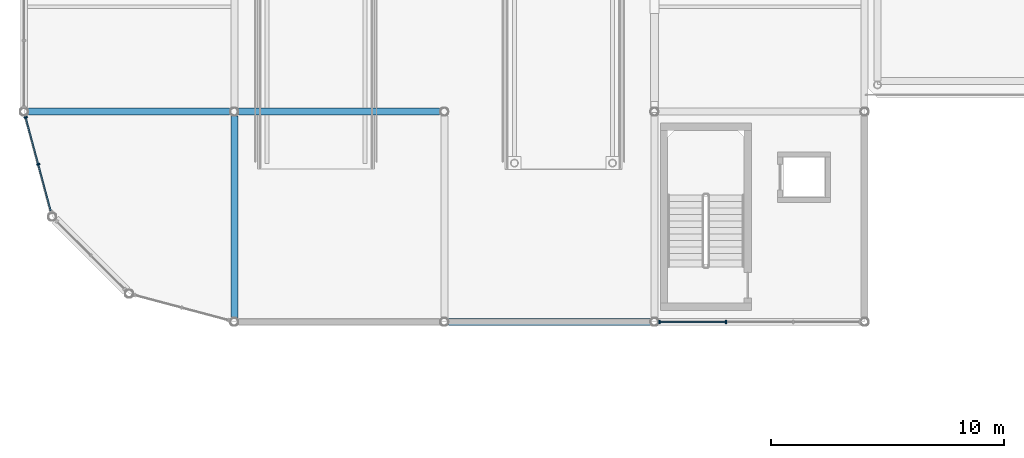
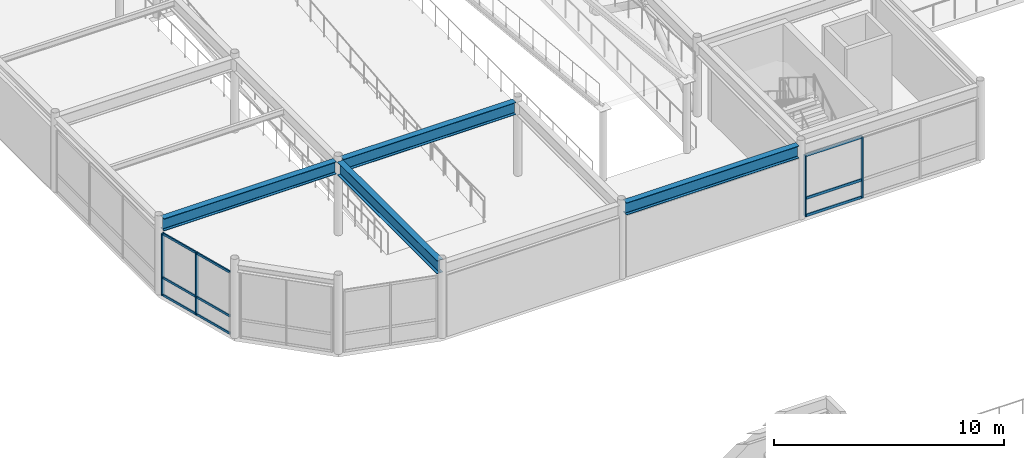
# One storey, part 16 of 70: 13 members, 4 beams, 2 elements without a shape of their own.
"""IFC4 building model written with IfcOpenShell, lengths in metres."""

from ifc_helpers import new_model, si_unit, direction, frame, origin, origin_2d, place, context, subcontext, project, spatial, rectangle, i_section, extrude, material, material_profile, profile_set, type_object, element, aggregate, save


model = new_model("IFC4")

# Units and contexts
model_context = context("Model", 3, precision=1e-05, world=origin(), true_north=direction((0.0, 1.0)))
body_context = subcontext(model_context, "Body", "Model", "MODEL_VIEW")
ifc_project = project(units=[si_unit("LENGTHUNIT", "METRE"), si_unit("AREAUNIT", "SQUARE_METRE"), si_unit("VOLUMEUNIT", "CUBIC_METRE"), si_unit("PLANEANGLEUNIT", "RADIAN"), si_unit("MASSUNIT", "GRAM", prefix="KILO")], contexts=[model_context])

# Site, building, storey
site_placement = place(None, origin())
site = spatial("IfcSite", under=ifc_project, at=site_placement, CompositionType="ELEMENT")
building_placement = place(site_placement, origin())
building = spatial("IfcBuilding", under=site, at=building_placement, Name="Suzunagisa Mobility Hub", CompositionType="ELEMENT")
storey_placement = place(building_placement, frame((0.0, 0.0, 13.5)))
storey = spatial("IfcBuildingStorey", under=building, at=storey_placement, Name="L03", CompositionType="ELEMENT", Elevation=13.5)

# Curtain wall, members
ifc_material_1 = material(Name="Thermally Broken Anodized Aluminum and Low-E Glazing", Category="aluminium")
curtain_wall_type_1 = type_object("IfcCurtainWallType", Name="Unitised Curtain Wall CW-13 8750x3200", PredefinedType="USERDEFINED", material=ifc_material_1)
curtain_wall_1_placement = place(storey_placement, origin())
curtain_wall_1 = element("IfcCurtainWall", 1, at=curtain_wall_1_placement, inside=storey, type_object=curtain_wall_type_1, Name="L03 Unitised Curtain Wall CW-74", ObjectType="UNITISED CURTAIN WALL", PredefinedType="USERDEFINED")
ifc_material_2 = material(Name="Anodized Aluminum 6063-T6", Category="aluminium")
ifc_material_profile_1 = material_profile(ifc_material_2, rectangle(XDim=0.06494140625, YDim=0.139892578125, at=origin_2d()), Name="TRAN-65x140")
ifc_profile_set_1 = profile_set([ifc_material_profile_1], Name="Anodized Aluminum 6063-T6")
member_type_1 = type_object("IfcMemberType", Name="Curtain Wall Framing CM-01 TRAN-65x140", PredefinedType="USERDEFINED", material=ifc_profile_set_1)
member_1_placement = place(storey_placement, frame((27.23583984375, 80.0, 0.032470703125), z_axis=(1.0, 0.0, 0.0), x_axis=(0.0, 1.0, 0.0)))
member_1 = element("IfcMember", 2, at=member_1_placement, type_object=member_type_1, Name="Curtain Wall Transom 74-T1.1", ObjectType="TRANSOM", PredefinedType="USERDEFINED", context=body_context, shape_type="SweptSolid", body=[
    extrude(rectangle(XDim=0.06494140625, YDim=0.139892578125, at=origin_2d()), origin(), (0.0, 0.0, 1.0), 2.79541015625),
])
member_2_placement = place(storey_placement, frame((27.23583984375, 80.0, 0.949951171875), z_axis=(1.0, 0.0, 0.0), x_axis=(0.0, 1.0, 0.0)))
member_2 = element("IfcMember", 3, at=member_2_placement, type_object=member_type_1, Name="Curtain Wall Transom 74-T1.2", ObjectType="TRANSOM", PredefinedType="USERDEFINED", context=body_context, shape_type="SweptSolid", body=[
    extrude(rectangle(XDim=0.06494140625, YDim=0.139892578125, at=origin_2d()), origin(), (0.0, 0.0, 1.0), 2.79541015625),
])
member_3_placement = place(storey_placement, frame((27.23583984375, 80.0, 3.217529296875), z_axis=(1.0, 0.0, 0.0), x_axis=(0.0, 1.0, 0.0)))
member_3 = element("IfcMember", 4, at=member_3_placement, type_object=member_type_1, Name="Curtain Wall Transom 74-T1.3", ObjectType="TRANSOM", PredefinedType="USERDEFINED", context=body_context, shape_type="SweptSolid", body=[
    extrude(rectangle(XDim=0.06494140625, YDim=0.139892578125, at=origin_2d()), origin(), (0.0, 0.0, 1.0), 2.79541015625),
])

curtain_wall_type_2 = type_object("IfcCurtainWallType", Name="Unitised Curtain Wall CW-06 4250x3300", PredefinedType="USERDEFINED", material=ifc_material_1)
curtain_wall_2_placement = place(storey_placement, origin())
curtain_wall_2 = element("IfcCurtainWall", 5, at=curtain_wall_2_placement, inside=storey, type_object=curtain_wall_type_2, Name="L03 Unitised Curtain Wall CW-71", ObjectType="UNITISED CURTAIN WALL", PredefinedType="USERDEFINED")
ifc_material_profile_2 = material_profile(ifc_material_2, rectangle(XDim=0.06005859375, YDim=0.1201171875, at=origin_2d()), Name="TRAN-60x120")
ifc_profile_set_2 = profile_set([ifc_material_profile_2], Name="Anodized Aluminum 6063-T6")
member_type_2 = type_object("IfcMemberType", Name="Curtain Wall Framing CM-02 TRAN-60x120", PredefinedType="USERDEFINED", material=ifc_profile_set_2)
member_4_placement = place(storey_placement, frame((0.0712890625, 88.733642578125, 0.030029296875), z_axis=(0.258892720742, -0.965906081949, 0.0), x_axis=(0.965906081949, 0.258892720742, 0.0)))
member_4 = element("IfcMember", 6, at=member_4_placement, type_object=member_type_2, Name="Curtain Wall Transom 71-T1.1", ObjectType="TRANSOM", PredefinedType="USERDEFINED", context=body_context, shape_type="SweptSolid", body=[
    extrude(rectangle(XDim=0.06005859375, YDim=0.1201171875, at=origin_2d()), origin(), (0.0, 0.0, 1.0), 2.025634765625),
])
member_5_placement = place(storey_placement, frame((0.0712890625, 88.733642578125, 0.949951171875), z_axis=(0.258892720742, -0.965906081949, 0.0), x_axis=(0.965906081949, 0.258892720742, 0.0)))
member_5 = element("IfcMember", 7, at=member_5_placement, type_object=member_type_2, Name="Curtain Wall Transom 71-T1.2", ObjectType="TRANSOM", PredefinedType="USERDEFINED", context=body_context, shape_type="SweptSolid", body=[
    extrude(rectangle(XDim=0.06005859375, YDim=0.1201171875, at=origin_2d()), origin(), (0.0, 0.0, 1.0), 2.025634765625),
])
member_6_placement = place(storey_placement, frame((0.0712890625, 88.733642578125, 3.27001953125), z_axis=(0.258892720742, -0.965906081949, 0.0), x_axis=(0.965906081949, 0.258892720742, 0.0)))
member_6 = element("IfcMember", 8, at=member_6_placement, type_object=member_type_2, Name="Curtain Wall Transom 71-T1.3", ObjectType="TRANSOM", PredefinedType="USERDEFINED", context=body_context, shape_type="SweptSolid", body=[
    extrude(rectangle(XDim=0.06005859375, YDim=0.1201171875, at=origin_2d()), origin(), (0.0, 0.0, 1.0), 2.025634765625),
])
member_7_placement = place(storey_placement, frame((0.610107421875, 86.722900390625, 0.030029296875), z_axis=(0.258892720742, -0.965906081949, 0.0), x_axis=(0.965906081949, 0.258892720742, 0.0)))
member_7 = element("IfcMember", 9, at=member_7_placement, type_object=member_type_2, Name="Curtain Wall Transom 71-T2.1", ObjectType="TRANSOM", PredefinedType="USERDEFINED", context=body_context, shape_type="SweptSolid", body=[
    extrude(rectangle(XDim=0.06005859375, YDim=0.1201171875, at=origin_2d()), origin(), (0.0, 0.0, 1.0), 2.025634765625),
])
member_8_placement = place(storey_placement, frame((0.610107421875, 86.722900390625, 0.949951171875), z_axis=(0.258892720742, -0.965906081949, 0.0), x_axis=(0.965906081949, 0.258892720742, 0.0)))
member_8 = element("IfcMember", 10, at=member_8_placement, type_object=member_type_2, Name="Curtain Wall Transom 71-T2.2", ObjectType="TRANSOM", PredefinedType="USERDEFINED", context=body_context, shape_type="SweptSolid", body=[
    extrude(rectangle(XDim=0.06005859375, YDim=0.1201171875, at=origin_2d()), origin(), (0.0, 0.0, 1.0), 2.025634765625),
])
member_9_placement = place(storey_placement, frame((0.610107421875, 86.722900390625, 3.27001953125), z_axis=(0.258892720742, -0.965906081949, 0.0), x_axis=(0.965906081949, 0.258892720742, 0.0)))
member_9 = element("IfcMember", 11, at=member_9_placement, type_object=member_type_2, Name="Curtain Wall Transom 71-T2.3", ObjectType="TRANSOM", PredefinedType="USERDEFINED", context=body_context, shape_type="SweptSolid", body=[
    extrude(rectangle(XDim=0.06005859375, YDim=0.1201171875, at=origin_2d()), origin(), (0.0, 0.0, 1.0), 2.025634765625),
])
ifc_material_profile_3 = material_profile(ifc_material_2, rectangle(XDim=0.06005859375, YDim=0.14990234375, at=origin_2d()), Name="MULL-60x150")
ifc_profile_set_3 = profile_set([ifc_material_profile_3], Name="Anodized Aluminum 6063-T6")
member_type_3 = type_object("IfcMemberType", Name="Curtain Wall Framing CM-03 MULL-60x150", PredefinedType="MULLION", material=ifc_profile_set_3)
member_10_placement = place(storey_placement, frame((0.064208984375, 88.7607421875, 0.0), z_axis=(0.0, 0.0, 1.0), x_axis=(0.258803152984, -0.965930084429, 0.0)))
member_10 = element("IfcMember", 12, at=member_10_placement, type_object=member_type_3, Name="Curtain Wall Mullion 71-M1", PredefinedType="MULLION", context=body_context, shape_type="SweptSolid", body=[
    extrude(rectangle(XDim=0.06005859375, YDim=0.14990234375, at=origin_2d()), origin(), (0.0, 0.0, 1.0), 3.300048828125),
])
member_11_placement = place(storey_placement, frame((0.602783203125, 86.75, 0.0), z_axis=(0.0, 0.0, 1.0), x_axis=(0.258803152984, -0.965930084429, 0.0)))
member_11 = element("IfcMember", 13, at=member_11_placement, type_object=member_type_3, Name="Curtain Wall Mullion 71-M2", PredefinedType="MULLION", context=body_context, shape_type="SweptSolid", body=[
    extrude(rectangle(XDim=0.06005859375, YDim=0.14990234375, at=origin_2d()), origin(), (0.0, 0.0, 1.0), 3.300048828125),
])
aggregate(curtain_wall_2, [member_10, member_11, member_4, member_5, member_6, member_7, member_8, member_9])

# Member
member_12_placement = place(storey_placement, frame((27.207763671875, 80.0, 0.0), z_axis=(0.0, 0.0, 1.0), x_axis=(1.0, 0.0, 0.0)))
member_12 = element("IfcMember", 14, at=member_12_placement, type_object=member_type_3, Name="Curtain Wall Mullion 74-M1", PredefinedType="MULLION", context=body_context, shape_type="SweptSolid", body=[
    extrude(rectangle(XDim=0.06005859375, YDim=0.14990234375, at=origin_2d()), origin(), (0.0, 0.0, 1.0), 3.25),
])

member_13_placement = place(storey_placement, frame((30.059326171875, 80.0, 0.0), z_axis=(0.0, 0.0, 1.0), x_axis=(1.0, 0.0, 0.0)))
member_13 = element("IfcMember", 15, at=member_13_placement, type_object=member_type_3, Name="Curtain Wall Mullion 74-M2", PredefinedType="MULLION", context=body_context, shape_type="SweptSolid", body=[
    extrude(rectangle(XDim=0.06005859375, YDim=0.14990234375, at=origin_2d()), origin(), (0.0, 0.0, 1.0), 3.25),
])

aggregate(curtain_wall_1, [member_12, member_13, member_1, member_2, member_3])

# Beams
ifc_material_3 = material(Name="Steel SN490B", Category="steel")
ifc_material_profile_4 = material_profile(ifc_material_3, i_section(OverallWidth=0.300048828125, OverallDepth=0.64990234375, WebThickness=0.012939453125, FlangeThickness=0.02197265625, FilletRadius=0.01611328125, at=origin_2d()), Name="H-650x300x13x22")
ifc_profile_set_4 = profile_set([ifc_material_profile_4], Name="Steel SN490B")
beam_type_1 = type_object("IfcBeamType", Name="Steel Beam BM-10 H-650x300x13x22", PredefinedType="BEAM", material=ifc_profile_set_4)
for number, where, z_axis, x_axis, name in (
    (16, (18.173828125, 80.0, 3.625), (1.0, 0.0, 0.0), (0.0, 1.0, 0.0), "L03 Primary Girder GX-555"),
    (17, (0.173828125, 89.0, 3.625), (1.0, 0.0, 0.0), (0.0, 1.0, 0.0), "L03 Primary Girder GX-557"),
    (18, (9.173828125, 89.0, 3.625), (1.0, 0.0, 0.0), (0.0, 1.0, 0.0), "L03 Primary Girder GX-558"),
):
    element("IfcBeam", number, at=place(storey_placement, frame(where, z_axis=z_axis, x_axis=x_axis)), inside=storey, type_object=beam_type_1, Name=name, PredefinedType="BEAM", context=body_context, shape_type="SweptSolid", body=[
        extrude(i_section(OverallWidth=0.300048828125, OverallDepth=0.64990234375, WebThickness=0.012939453125, FlangeThickness=0.02197265625, FilletRadius=0.01611328125, at=origin_2d()), origin(), (0.0, 0.0, 1.0), 8.65234375),
    ])
ifc_material_profile_5 = material_profile(ifc_material_3, i_section(OverallWidth=0.300048828125, OverallDepth=0.699951171875, WebThickness=0.012939453125, FlangeThickness=0.02392578125, FilletRadius=0.01806640625, at=origin_2d()), Name="H-700x300x13x24")
ifc_profile_set_5 = profile_set([ifc_material_profile_5], Name="Steel SN490B")
beam_type_2 = type_object("IfcBeamType", Name="Steel Beam BM-11 H-700x300x13x24", PredefinedType="BEAM", material=ifc_profile_set_5)
beam_placement = place(storey_placement, frame((9.0, 80.173828125, 3.60009765625), z_axis=(0.0, 1.0, 0.0), x_axis=(-1.0, 0.0, 0.0)))
element("IfcBeam", 19, at=beam_placement, inside=storey, type_object=beam_type_2, Name="L03 Primary Girder GY-569", PredefinedType="BEAM", context=body_context, shape_type="SweptSolid", body=[
    extrude(i_section(OverallWidth=0.300048828125, OverallDepth=0.699951171875, WebThickness=0.012939453125, FlangeThickness=0.02392578125, FilletRadius=0.01806640625, at=origin_2d()), origin(), (0.0, 0.0, 1.0), 8.65234375),
])

save(model, "model.ifc")
